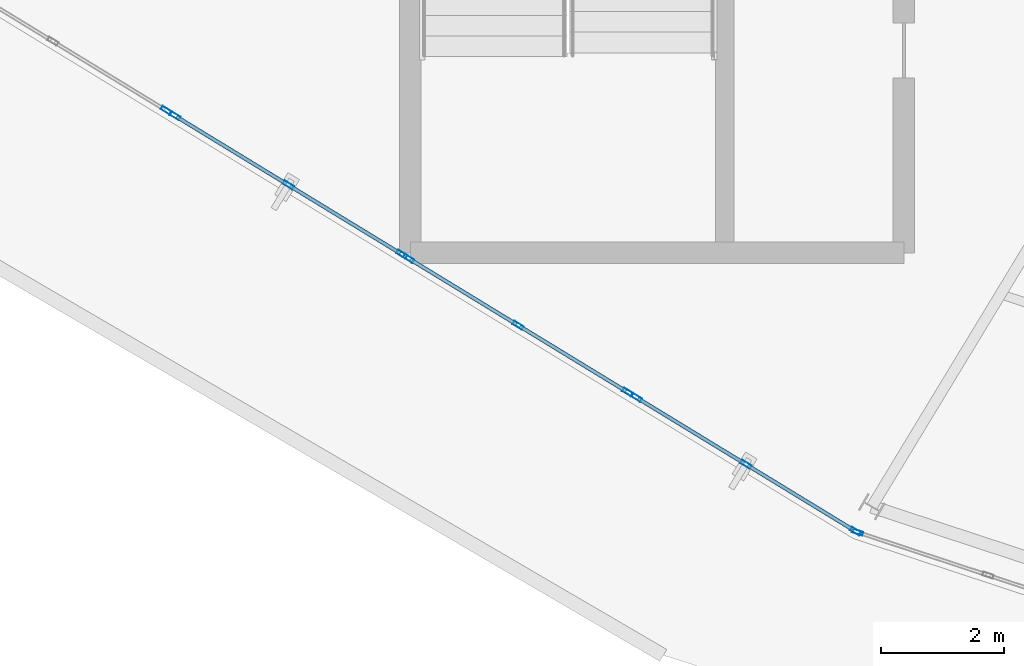
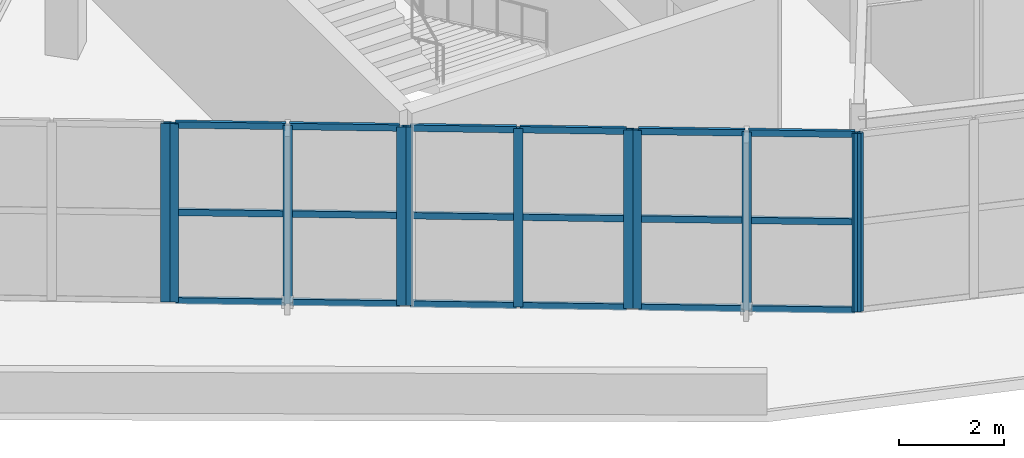
# One storey, part 17 of 126: 29 members, 5 elements without a shape of their own.
"""IFC4 building model written with IfcOpenShell, lengths in metres."""

from ifc_helpers import new_model, si_unit, direction, frame, origin, origin_2d, place, context, subcontext, project, spatial, hollow_rectangle, extrude, material, layer, layer_set, material_profile, profile_set, type_object, element, aggregate, save


model = new_model("IFC4")

# Units and contexts
model_context = context("Model", 3, precision=1e-05, world=origin(), true_north=direction((0.0, 1.0)))
body_context = subcontext(model_context, "Body", "Model", "MODEL_VIEW")
ifc_project = project(units=[si_unit("LENGTHUNIT", "METRE"), si_unit("AREAUNIT", "SQUARE_METRE"), si_unit("VOLUMEUNIT", "CUBIC_METRE"), si_unit("PLANEANGLEUNIT", "RADIAN"), si_unit("MASSUNIT", "GRAM", prefix="KILO")], contexts=[model_context])

# Site, building, storey
site_placement = place(None, origin())
site = spatial("IfcSite", under=ifc_project, at=site_placement, CompositionType="ELEMENT")
building_placement = place(site_placement, origin())
building = spatial("IfcBuilding", under=site, at=building_placement, Name="Kalgoora Escarpment Arena", CompositionType="ELEMENT")
storey_placement = place(building_placement, frame((0.0, 0.0, 18.89990234375)))
storey = spatial("IfcBuildingStorey", under=building, at=storey_placement, Name="L04", CompositionType="ELEMENT", Elevation=18.89990234375)

# Curtain wall, member
ifc_material_1 = material(Name=" Champagne anodised aluminium & double-glazed low-E", Category="aluminium")
ifc_layer_1 = layer(ifc_material_1, 0.157958984375)
ifc_layer_set_1 = layer_set([ifc_layer_1], Name="CW-UNIT-02")
curtain_wall_type_1 = type_object("IfcCurtainWallType", Name="CW-UNIT-02", PredefinedType="NOTDEFINED", material=ifc_layer_set_1)
curtain_wall_1_placement = place(storey_placement, origin())
curtain_wall_1 = element("IfcCurtainWall", 1, at=curtain_wall_1_placement, inside=storey, type_object=curtain_wall_type_1, Name="L04 unitised facade curtain wall 121", PredefinedType="NOTDEFINED")
ifc_material_2 = material(Name="Anodised aluminium 6063-T6", Category="aluminium")
ifc_material_profile_1 = material_profile(ifc_material_2, hollow_rectangle(XDim=0.06494140625, YDim=0.179931640625, WallThickness=0.00390625, at=origin_2d()))
ifc_profile_set_1 = profile_set([ifc_material_profile_1], Name="Anodised aluminium 6063-T6")
member_type_1 = type_object("IfcMemberType", Name="MEM-CW-MULL-180", PredefinedType="MULLION", material=ifc_profile_set_1)
member_1_placement = place(storey_placement, frame((56.2685546875, 14.220703125, 0.02001953125), z_axis=(0.0, 0.0, 1.0), x_axis=(-0.312985861452, -0.949757785191, 0.0)))
member_1 = element("IfcMember", 2, at=member_1_placement, type_object=member_type_1, Name="CW-02 mullion 3", PredefinedType="MULLION", context=body_context, shape_type="SweptSolid", body=[
    extrude(hollow_rectangle(XDim=0.06494140625, YDim=0.179931640625, WallThickness=0.00390625, at=origin_2d()), origin(), (0.0, 0.0, 1.0), 4.150146484375),
])
aggregate(curtain_wall_1, [member_1])

# Curtain wall, members
ifc_material_3 = material(Name=" Champagne anodised aluminium & double-glazed low-E", Category="aluminium")
ifc_layer_2 = layer(ifc_material_3, 0.162109375)
ifc_layer_set_2 = layer_set([ifc_layer_2], Name="CW-UNIT-03")
curtain_wall_type_2 = type_object("IfcCurtainWallType", Name="CW-UNIT-03", PredefinedType="NOTDEFINED", material=ifc_layer_set_2)
curtain_wall_2_placement = place(storey_placement, origin())
curtain_wall_2 = element("IfcCurtainWall", 3, at=curtain_wall_2_placement, inside=storey, type_object=curtain_wall_type_2, Name="L04 unitised facade curtain wall 122", PredefinedType="NOTDEFINED")
member_2_placement = place(storey_placement, frame((56.23486328125, 14.236328125, 0.02001953125), z_axis=(0.0, 0.0, 1.0), x_axis=(-0.521058961304, -0.853520684485, 0.0)))
member_2 = element("IfcMember", 4, at=member_2_placement, type_object=member_type_1, Name="CW-03 mullion 1", PredefinedType="MULLION", context=body_context, shape_type="SweptSolid", body=[
    extrude(hollow_rectangle(XDim=0.06494140625, YDim=0.179931640625, WallThickness=0.00390625, at=origin_2d()), origin(), (0.0, 0.0, 1.0), 4.150146484375),
])
member_3_placement = place(storey_placement, frame((54.447998046875, 15.3271484375, 0.02001953125), z_axis=(0.0, 0.0, 1.0), x_axis=(-0.521058961304, -0.853520684485, 0.0)))
member_3 = element("IfcMember", 5, at=member_3_placement, type_object=member_type_1, Name="CW-03 mullion 2", PredefinedType="MULLION", context=body_context, shape_type="SweptSolid", body=[
    extrude(hollow_rectangle(XDim=0.06494140625, YDim=0.179931640625, WallThickness=0.00390625, at=origin_2d()), origin(), (0.0, 0.0, 1.0), 4.150146484375),
])
member_4_placement = place(storey_placement, frame((52.6611328125, 16.41796875, 0.02001953125), z_axis=(0.0, 0.0, 1.0), x_axis=(-0.521058961304, -0.853520684485, 0.0)))
member_4 = element("IfcMember", 6, at=member_4_placement, type_object=member_type_1, Name="CW-03 mullion 3", PredefinedType="MULLION", context=body_context, shape_type="SweptSolid", body=[
    extrude(hollow_rectangle(XDim=0.06494140625, YDim=0.179931640625, WallThickness=0.00390625, at=origin_2d()), origin(), (0.0, 0.0, 1.0), 4.150146484375),
])

ifc_material_4 = material(Name=" Champagne anodised aluminium & double-glazed low-E", Category="aluminium")
ifc_layer_3 = layer(ifc_material_4, 0.166015625)
ifc_layer_set_3 = layer_set([ifc_layer_3], Name="CW-UNIT-04")
curtain_wall_type_3 = type_object("IfcCurtainWallType", Name="CW-UNIT-04", PredefinedType="NOTDEFINED", material=ifc_layer_set_3)
curtain_wall_3_placement = place(storey_placement, origin())
curtain_wall_3 = element("IfcCurtainWall", 7, at=curtain_wall_3_placement, inside=storey, type_object=curtain_wall_type_3, Name="L04 unitised facade curtain wall 123", PredefinedType="NOTDEFINED")
member_5_placement = place(storey_placement, frame((52.520263671875, 16.50390625, 0.02001953125), z_axis=(0.0, 0.0, 1.0), x_axis=(-0.521048501858, -0.853527069701, 0.0)))
member_5 = element("IfcMember", 8, at=member_5_placement, type_object=member_type_1, Name="CW-04 mullion 1", PredefinedType="MULLION", context=body_context, shape_type="SweptSolid", body=[
    extrude(hollow_rectangle(XDim=0.06494140625, YDim=0.179931640625, WallThickness=0.00390625, at=origin_2d()), origin(), (0.0, 0.0, 1.0), 4.150146484375),
])
member_6_placement = place(storey_placement, frame((50.7333984375, 17.5947265625, 0.02001953125), z_axis=(0.0, 0.0, 1.0), x_axis=(-0.521048501858, -0.853527069701, 0.0)))
member_6 = element("IfcMember", 9, at=member_6_placement, type_object=member_type_1, Name="CW-04 mullion 2", PredefinedType="MULLION", context=body_context, shape_type="SweptSolid", body=[
    extrude(hollow_rectangle(XDim=0.06494140625, YDim=0.179931640625, WallThickness=0.00390625, at=origin_2d()), origin(), (0.0, 0.0, 1.0), 4.150146484375),
])
member_7_placement = place(storey_placement, frame((48.946533203125, 18.685546875, 0.02001953125), z_axis=(0.0, 0.0, 1.0), x_axis=(-0.521048501858, -0.853527069701, 0.0)))
member_7 = element("IfcMember", 10, at=member_7_placement, type_object=member_type_1, Name="CW-04 mullion 3", PredefinedType="MULLION", context=body_context, shape_type="SweptSolid", body=[
    extrude(hollow_rectangle(XDim=0.06494140625, YDim=0.179931640625, WallThickness=0.00390625, at=origin_2d()), origin(), (0.0, 0.0, 1.0), 4.150146484375),
])

ifc_material_5 = material(Name=" Champagne anodised aluminium & double-glazed low-E", Category="aluminium")
ifc_layer_4 = layer(ifc_material_5, 0.14990234375)
ifc_layer_set_4 = layer_set([ifc_layer_4], Name="CW-UNIT-05")
curtain_wall_type_4 = type_object("IfcCurtainWallType", Name="CW-UNIT-05", PredefinedType="NOTDEFINED", material=ifc_layer_set_4)
curtain_wall_4_placement = place(storey_placement, origin())
curtain_wall_4 = element("IfcCurtainWall", 11, at=curtain_wall_4_placement, inside=storey, type_object=curtain_wall_type_4, Name="L04 unitised facade curtain wall 124", PredefinedType="NOTDEFINED")
member_8_placement = place(storey_placement, frame((48.834716796875, 18.753662109375, 0.02001953125), z_axis=(0.0, 0.0, 1.0), x_axis=(-0.52106650732, -0.853516077733, 0.0)))
member_8 = element("IfcMember", 12, at=member_8_placement, type_object=member_type_1, Name="CW-05 mullion 1", PredefinedType="MULLION", context=body_context, shape_type="SweptSolid", body=[
    extrude(hollow_rectangle(XDim=0.06494140625, YDim=0.179931640625, WallThickness=0.00390625, at=origin_2d()), origin(), (0.0, 0.0, 1.0), 4.150146484375),
])
member_9_placement = place(storey_placement, frame((46.9853515625, 19.8828125, 0.02001953125), z_axis=(0.0, 0.0, 1.0), x_axis=(-0.52106650732, -0.853516077733, 0.0)))
member_9 = element("IfcMember", 13, at=member_9_placement, type_object=member_type_1, Name="CW-05 mullion 2", PredefinedType="MULLION", context=body_context, shape_type="SweptSolid", body=[
    extrude(hollow_rectangle(XDim=0.06494140625, YDim=0.179931640625, WallThickness=0.00390625, at=origin_2d()), origin(), (0.0, 0.0, 1.0), 4.150146484375),
])
member_10_placement = place(storey_placement, frame((45.1357421875, 21.011962890625, 0.02001953125), z_axis=(0.0, 0.0, 1.0), x_axis=(-0.52106650732, -0.853516077733, 0.0)))
member_10 = element("IfcMember", 14, at=member_10_placement, type_object=member_type_1, Name="CW-05 mullion 3", PredefinedType="MULLION", context=body_context, shape_type="SweptSolid", body=[
    extrude(hollow_rectangle(XDim=0.06494140625, YDim=0.179931640625, WallThickness=0.00390625, at=origin_2d()), origin(), (0.0, 0.0, 1.0), 4.150146484375),
])

# Curtain wall, member
ifc_material_6 = material(Name=" Champagne anodised aluminium & double-glazed low-E", Category="aluminium")
ifc_layer_5 = layer(ifc_material_6, 0.154052734375)
ifc_layer_set_5 = layer_set([ifc_layer_5], Name="CW-UNIT-06")
curtain_wall_type_5 = type_object("IfcCurtainWallType", Name="CW-UNIT-06", PredefinedType="NOTDEFINED", material=ifc_layer_set_5)
curtain_wall_5_placement = place(storey_placement, origin())
curtain_wall_5 = element("IfcCurtainWall", 15, at=curtain_wall_5_placement, inside=storey, type_object=curtain_wall_type_5, Name="L04 unitised facade curtain wall 125", PredefinedType="NOTDEFINED")
member_11_placement = place(storey_placement, frame((44.994873046875, 21.097900390625, 0.02001953125), z_axis=(0.0, 0.0, 1.0), x_axis=(-0.521039836105, -0.85353235978, 0.0)))
member_11 = element("IfcMember", 16, at=member_11_placement, type_object=member_type_1, Name="CW-06 mullion 1", PredefinedType="MULLION", context=body_context, shape_type="SweptSolid", body=[
    extrude(hollow_rectangle(XDim=0.06494140625, YDim=0.179931640625, WallThickness=0.00390625, at=origin_2d()), origin(), (0.0, 0.0, 1.0), 4.150146484375),
])
aggregate(curtain_wall_5, [member_11])

# Member
ifc_material_7 = material(Name="Anodised aluminium 6063-T6", Category="aluminium")
ifc_material_profile_2 = material_profile(ifc_material_7, hollow_rectangle(XDim=0.06005859375, YDim=0.14990234375, WallThickness=0.00341796875, at=origin_2d()))
ifc_profile_set_2 = profile_set([ifc_material_profile_2], Name="Anodised aluminium 6063-T6")
member_type_2 = type_object("IfcMemberType", Name="MEM-CW-TRAN-150", PredefinedType="USERDEFINED", material=ifc_profile_set_2)
member_12_placement = place(storey_placement, frame((56.20703125, 14.253173828125, 0.050048828125), z_axis=(-0.853549474663, 0.521011798621, 0.0), x_axis=(-0.521011798621, -0.853549474663, 0.0)))
member_12 = element("IfcMember", 17, at=member_12_placement, type_object=member_type_2, Name="CW-03 transom 1.1", ObjectType="TRANSOM", PredefinedType="USERDEFINED", context=body_context, shape_type="SweptSolid", body=[
    extrude(hollow_rectangle(XDim=0.06005859375, YDim=0.14990234375, WallThickness=0.00341796875, at=origin_2d()), origin(), (0.0, 0.0, 1.0), 2.028564453125),
])

member_13_placement = place(storey_placement, frame((56.20703125, 14.253173828125, 2.10498046875), z_axis=(-0.853549474663, 0.521011798621, 0.0), x_axis=(-0.521011798621, -0.853549474663, 0.0)))
member_13 = element("IfcMember", 18, at=member_13_placement, type_object=member_type_2, Name="CW-03 transom 1.2", ObjectType="TRANSOM", PredefinedType="USERDEFINED", context=body_context, shape_type="SweptSolid", body=[
    extrude(hollow_rectangle(XDim=0.06005859375, YDim=0.14990234375, WallThickness=0.00341796875, at=origin_2d()), origin(), (0.0, 0.0, 1.0), 2.028564453125),
])

member_14_placement = place(storey_placement, frame((56.20703125, 14.253173828125, 4.14013671875), z_axis=(-0.853549474663, 0.521011798621, 0.0), x_axis=(-0.521011798621, -0.853549474663, 0.0)))
member_14 = element("IfcMember", 19, at=member_14_placement, type_object=member_type_2, Name="CW-03 transom 1.3", ObjectType="TRANSOM", PredefinedType="USERDEFINED", context=body_context, shape_type="SweptSolid", body=[
    extrude(hollow_rectangle(XDim=0.06005859375, YDim=0.14990234375, WallThickness=0.00341796875, at=origin_2d()), origin(), (0.0, 0.0, 1.0), 2.028564453125),
])

member_15_placement = place(storey_placement, frame((54.420166015625, 15.343994140625, 0.050048828125), z_axis=(-0.853516799181, 0.521065325575, 0.0), x_axis=(-0.521065325575, -0.853516799181, 0.0)))
member_15 = element("IfcMember", 20, at=member_15_placement, type_object=member_type_2, Name="CW-03 transom 2.1", ObjectType="TRANSOM", PredefinedType="USERDEFINED", context=body_context, shape_type="SweptSolid", body=[
    extrude(hollow_rectangle(XDim=0.06005859375, YDim=0.14990234375, WallThickness=0.00341796875, at=origin_2d()), origin(), (0.0, 0.0, 1.0), 2.0283203125),
])

member_16_placement = place(storey_placement, frame((54.420166015625, 15.343994140625, 2.10498046875), z_axis=(-0.853516799181, 0.521065325575, 0.0), x_axis=(-0.521065325575, -0.853516799181, 0.0)))
member_16 = element("IfcMember", 21, at=member_16_placement, type_object=member_type_2, Name="CW-03 transom 2.2", ObjectType="TRANSOM", PredefinedType="USERDEFINED", context=body_context, shape_type="SweptSolid", body=[
    extrude(hollow_rectangle(XDim=0.06005859375, YDim=0.14990234375, WallThickness=0.00341796875, at=origin_2d()), origin(), (0.0, 0.0, 1.0), 2.0283203125),
])

member_17_placement = place(storey_placement, frame((54.420166015625, 15.343994140625, 4.14013671875), z_axis=(-0.853516799181, 0.521065325575, 0.0), x_axis=(-0.521065325575, -0.853516799181, 0.0)))
member_17 = element("IfcMember", 22, at=member_17_placement, type_object=member_type_2, Name="CW-03 transom 2.3", ObjectType="TRANSOM", PredefinedType="USERDEFINED", context=body_context, shape_type="SweptSolid", body=[
    extrude(hollow_rectangle(XDim=0.06005859375, YDim=0.14990234375, WallThickness=0.00341796875, at=origin_2d()), origin(), (0.0, 0.0, 1.0), 2.0283203125),
])

aggregate(curtain_wall_2, [member_2, member_3, member_4, member_12, member_13, member_14, member_15, member_16, member_17])

member_18_placement = place(storey_placement, frame((52.492431640625, 16.520751953125, 0.050048828125), z_axis=(-0.853516799181, 0.521065325575, 0.0), x_axis=(-0.521065325575, -0.853516799181, 0.0)))
member_18 = element("IfcMember", 23, at=member_18_placement, type_object=member_type_2, Name="CW-04 transom 1.1", ObjectType="TRANSOM", PredefinedType="USERDEFINED", context=body_context, shape_type="SweptSolid", body=[
    extrude(hollow_rectangle(XDim=0.06005859375, YDim=0.14990234375, WallThickness=0.00341796875, at=origin_2d()), origin(), (0.0, 0.0, 1.0), 2.0283203125),
])

member_19_placement = place(storey_placement, frame((52.492431640625, 16.520751953125, 2.10498046875), z_axis=(-0.853516799181, 0.521065325575, 0.0), x_axis=(-0.521065325575, -0.853516799181, 0.0)))
member_19 = element("IfcMember", 24, at=member_19_placement, type_object=member_type_2, Name="CW-04 transom 1.2", ObjectType="TRANSOM", PredefinedType="USERDEFINED", context=body_context, shape_type="SweptSolid", body=[
    extrude(hollow_rectangle(XDim=0.06005859375, YDim=0.14990234375, WallThickness=0.00341796875, at=origin_2d()), origin(), (0.0, 0.0, 1.0), 2.0283203125),
])

member_20_placement = place(storey_placement, frame((52.492431640625, 16.520751953125, 4.14013671875), z_axis=(-0.853516799181, 0.521065325575, 0.0), x_axis=(-0.521065325575, -0.853516799181, 0.0)))
member_20 = element("IfcMember", 25, at=member_20_placement, type_object=member_type_2, Name="CW-04 transom 1.3", ObjectType="TRANSOM", PredefinedType="USERDEFINED", context=body_context, shape_type="SweptSolid", body=[
    extrude(hollow_rectangle(XDim=0.06005859375, YDim=0.14990234375, WallThickness=0.00341796875, at=origin_2d()), origin(), (0.0, 0.0, 1.0), 2.0283203125),
])

member_21_placement = place(storey_placement, frame((50.70556640625, 17.611572265625, 0.050048828125), z_axis=(-0.853516799181, 0.521065325575, 0.0), x_axis=(-0.521065325575, -0.853516799181, 0.0)))
member_21 = element("IfcMember", 26, at=member_21_placement, type_object=member_type_2, Name="CW-04 transom 2.1", ObjectType="TRANSOM", PredefinedType="USERDEFINED", context=body_context, shape_type="SweptSolid", body=[
    extrude(hollow_rectangle(XDim=0.06005859375, YDim=0.14990234375, WallThickness=0.00341796875, at=origin_2d()), origin(), (0.0, 0.0, 1.0), 2.0283203125),
])

member_22_placement = place(storey_placement, frame((50.70556640625, 17.611572265625, 2.10498046875), z_axis=(-0.853516799181, 0.521065325575, 0.0), x_axis=(-0.521065325575, -0.853516799181, 0.0)))
member_22 = element("IfcMember", 27, at=member_22_placement, type_object=member_type_2, Name="CW-04 transom 2.2", ObjectType="TRANSOM", PredefinedType="USERDEFINED", context=body_context, shape_type="SweptSolid", body=[
    extrude(hollow_rectangle(XDim=0.06005859375, YDim=0.14990234375, WallThickness=0.00341796875, at=origin_2d()), origin(), (0.0, 0.0, 1.0), 2.0283203125),
])

member_23_placement = place(storey_placement, frame((50.70556640625, 17.611572265625, 4.14013671875), z_axis=(-0.853516799181, 0.521065325575, 0.0), x_axis=(-0.521065325575, -0.853516799181, 0.0)))
member_23 = element("IfcMember", 28, at=member_23_placement, type_object=member_type_2, Name="CW-04 transom 2.3", ObjectType="TRANSOM", PredefinedType="USERDEFINED", context=body_context, shape_type="SweptSolid", body=[
    extrude(hollow_rectangle(XDim=0.06005859375, YDim=0.14990234375, WallThickness=0.00341796875, at=origin_2d()), origin(), (0.0, 0.0, 1.0), 2.0283203125),
])

aggregate(curtain_wall_3, [member_5, member_6, member_7, member_18, member_19, member_20, member_21, member_22, member_23])

member_24_placement = place(storey_placement, frame((48.80712890625, 18.770751953125, 0.050048828125), z_axis=(-0.853542985528, 0.521022429321, 0.0), x_axis=(-0.521022429321, -0.853542985528, 0.0)))
member_24 = element("IfcMember", 29, at=member_24_placement, type_object=member_type_2, Name="CW-05 transom 1.1", ObjectType="TRANSOM", PredefinedType="USERDEFINED", context=body_context, shape_type="SweptSolid", body=[
    extrude(hollow_rectangle(XDim=0.06005859375, YDim=0.14990234375, WallThickness=0.00341796875, at=origin_2d()), origin(), (0.0, 0.0, 1.0), 2.10205078125),
])

member_25_placement = place(storey_placement, frame((48.80712890625, 18.770751953125, 2.10498046875), z_axis=(-0.853542985528, 0.521022429321, 0.0), x_axis=(-0.521022429321, -0.853542985528, 0.0)))
member_25 = element("IfcMember", 30, at=member_25_placement, type_object=member_type_2, Name="CW-05 transom 1.2", ObjectType="TRANSOM", PredefinedType="USERDEFINED", context=body_context, shape_type="SweptSolid", body=[
    extrude(hollow_rectangle(XDim=0.06005859375, YDim=0.14990234375, WallThickness=0.00341796875, at=origin_2d()), origin(), (0.0, 0.0, 1.0), 2.10205078125),
])

member_26_placement = place(storey_placement, frame((48.80712890625, 18.770751953125, 4.14013671875), z_axis=(-0.853542985528, 0.521022429321, 0.0), x_axis=(-0.521022429321, -0.853542985528, 0.0)))
member_26 = element("IfcMember", 31, at=member_26_placement, type_object=member_type_2, Name="CW-05 transom 1.3", ObjectType="TRANSOM", PredefinedType="USERDEFINED", context=body_context, shape_type="SweptSolid", body=[
    extrude(hollow_rectangle(XDim=0.06005859375, YDim=0.14990234375, WallThickness=0.00341796875, at=origin_2d()), origin(), (0.0, 0.0, 1.0), 2.10205078125),
])

member_27_placement = place(storey_placement, frame((46.95751953125, 19.89990234375, 0.050048828125), z_axis=(-0.853511451854, 0.521074084515, 0.0), x_axis=(-0.521074084515, -0.853511451854, 0.0)))
member_27 = element("IfcMember", 32, at=member_27_placement, type_object=member_type_2, Name="CW-05 transom 2.1", ObjectType="TRANSOM", PredefinedType="USERDEFINED", context=body_context, shape_type="SweptSolid", body=[
    extrude(hollow_rectangle(XDim=0.06005859375, YDim=0.14990234375, WallThickness=0.00341796875, at=origin_2d()), origin(), (0.0, 0.0, 1.0), 2.101806640625),
])

member_28_placement = place(storey_placement, frame((46.95751953125, 19.89990234375, 2.10498046875), z_axis=(-0.853511451854, 0.521074084515, 0.0), x_axis=(-0.521074084515, -0.853511451854, 0.0)))
member_28 = element("IfcMember", 33, at=member_28_placement, type_object=member_type_2, Name="CW-05 transom 2.2", ObjectType="TRANSOM", PredefinedType="USERDEFINED", context=body_context, shape_type="SweptSolid", body=[
    extrude(hollow_rectangle(XDim=0.06005859375, YDim=0.14990234375, WallThickness=0.00341796875, at=origin_2d()), origin(), (0.0, 0.0, 1.0), 2.101806640625),
])

member_29_placement = place(storey_placement, frame((46.95751953125, 19.89990234375, 4.14013671875), z_axis=(-0.853511451854, 0.521074084515, 0.0), x_axis=(-0.521074084515, -0.853511451854, 0.0)))
member_29 = element("IfcMember", 34, at=member_29_placement, type_object=member_type_2, Name="CW-05 transom 2.3", ObjectType="TRANSOM", PredefinedType="USERDEFINED", context=body_context, shape_type="SweptSolid", body=[
    extrude(hollow_rectangle(XDim=0.06005859375, YDim=0.14990234375, WallThickness=0.00341796875, at=origin_2d()), origin(), (0.0, 0.0, 1.0), 2.101806640625),
])

aggregate(curtain_wall_4, [member_8, member_9, member_10, member_24, member_25, member_26, member_27, member_28, member_29])

save(model, "model.ifc")
